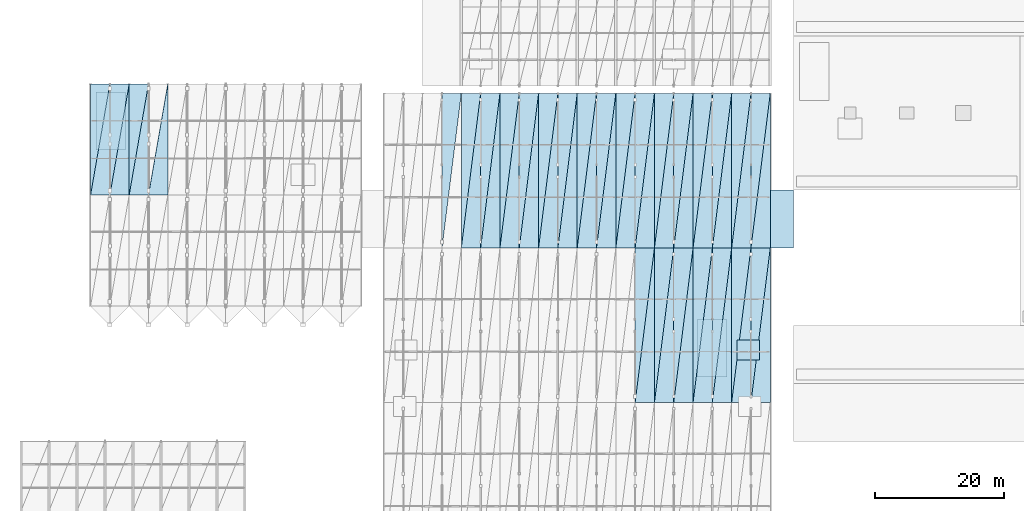
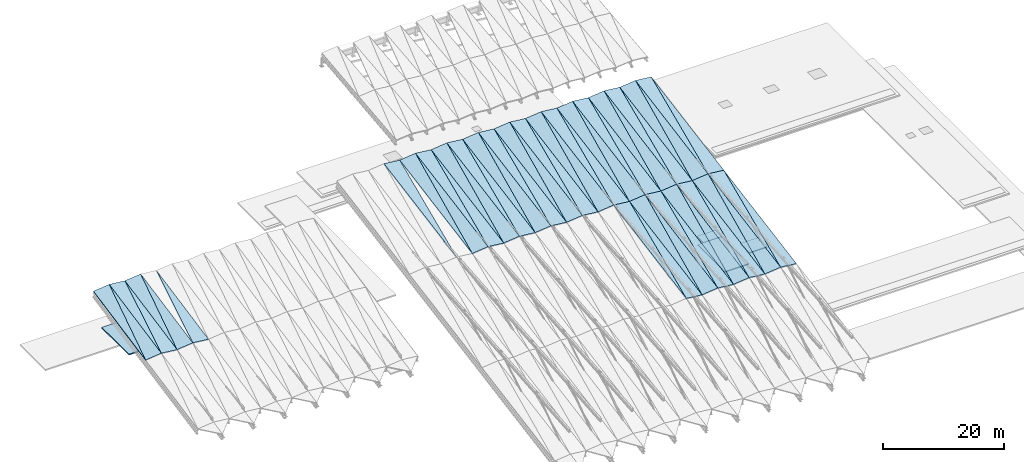
# One storey, part 21 of 52: 58 slabs.
"""IFC4 building model written with IfcOpenShell, lengths in metres."""

from ifc_helpers import new_model, si_unit, direction, frame, origin, place, context, subcontext, project, spatial, polyline, outline, extrude, material, layer, layer_set, type_object, element, save


model = new_model("IFC4")

# Units and contexts
model_context = context("Model", 3, precision=1e-05, world=origin(), true_north=direction((0.0, 1.0)))
body_context = subcontext(model_context, "Body", "Model", "MODEL_VIEW")
ifc_project = project(units=[si_unit("LENGTHUNIT", "METRE"), si_unit("AREAUNIT", "SQUARE_METRE"), si_unit("VOLUMEUNIT", "CUBIC_METRE"), si_unit("PLANEANGLEUNIT", "RADIAN"), si_unit("MASSUNIT", "GRAM", prefix="KILO")], contexts=[model_context])

# Site, building, storey
site_placement = place(None, origin())
site = spatial("IfcSite", under=ifc_project, at=site_placement, CompositionType="ELEMENT")
building_placement = place(site_placement, origin())
building = spatial("IfcBuilding", under=site, at=building_placement, Name="Vaelkrest Opera House", CompositionType="ELEMENT")
storey_placement = place(building_placement, frame((0.0, 0.0, 41.39990234375)))
storey = spatial("IfcBuildingStorey", under=building, at=storey_placement, Name="ROOF", CompositionType="ELEMENT", Elevation=41.39990234375)

# Slabs
ifc_material = material(Name="Concrete C40/50", Category="concrete")
ifc_layer_1 = layer(ifc_material, 0.235107421875)
ifc_layer_set_1 = layer_set([ifc_layer_1], Name="Concrete C40/50")
slab_type_1 = type_object("IfcSlabType", Name="RS01", PredefinedType="ROOF", material=ifc_layer_set_1)
slab_1_placement = place(storey_placement, frame((-21.0, -7.800048828125, -7.2919921875), z_axis=(0.105709410569, -0.175053827978, 0.978867548664), x_axis=(0.122398504974, 0.979188039796, 0.161893139758)))
element("IfcSlab", 1, at=slab_1_placement, inside=storey, type_object=slab_type_1, Name="Pleated roof facet V1 2-3EU", PredefinedType="ROOF", context=body_context, shape_type="SweptSolid", body=[
    extrude(outline(polyline([(0.0, 0.0), (24.51010329436229, -3.3306690738754696e-16), (24.195357046152544, 3.0009822303301914), (0.0, 0.0)])), origin(), (0.0, 0.0, -1.0), 0.235107421875),
])
slab_2_placement = place(storey_placement, frame((-18.0, -7.800048828125, -7.615966796875), z_axis=(-0.105709410569, -0.175053827978, 0.978867548664), x_axis=(0.994219425712, 0.0, 0.107367283359)))
element("IfcSlab", 2, at=slab_2_placement, inside=storey, type_object=slab_type_1, Name="Pleated roof facet V1 3-3WL", PredefinedType="ROOF", context=body_context, shape_type="SweptSolid", body=[
    extrude(outline(polyline([(0.0, 0.0), (3.0174425508234095, 0.0), (3.4782620921950986, 24.376399288817268), (0.0, 0.0)])), origin(), (0.0, 0.0, -1.0), 0.235107421875),
])
slab_3_placement = place(storey_placement, frame((-18.0, -7.800048828125, -7.615966796875), z_axis=(-0.105709410569, -0.175053827978, 0.978867548664), x_axis=(0.121835797394, 0.974686379149, 0.187463331813)))
element("IfcSlab", 3, at=slab_3_placement, inside=storey, type_object=slab_type_1, Name="Pleated roof facet V1 3-3WU", PredefinedType="ROOF", context=body_context, shape_type="SweptSolid", body=[
    extrude(outline(polyline([(0.0, 0.0), (24.623305007042667, 4.440892098500626e-16), (24.197064255165383, 2.9871856937523606), (0.0, 0.0)])), origin(), (0.0, 0.0, -1.0), 0.235107421875),
])
slab_4_placement = place(storey_placement, frame((-15.0, -7.800048828125, -7.2919921875), z_axis=(0.105709410569, -0.175053827978, 0.978867548664), x_axis=(0.994219425712, 0.0, -0.107367283359)))
element("IfcSlab", 4, at=slab_4_placement, inside=storey, type_object=slab_type_1, Name="Pleated roof facet V1 3-3EL", PredefinedType="ROOF", context=body_context, shape_type="SweptSolid", body=[
    extrude(outline(polyline([(0.0, 0.0), (3.0174425508234095, 0.0), (2.55662300945172, 24.376399288817264), (0.0, 0.0)])), origin(), (0.0, 0.0, -1.0), 0.235107421875),
])
slab_5_placement = place(storey_placement, frame((-15.0, -7.800048828125, -7.2919921875), z_axis=(0.105709410569, -0.175053827978, 0.978867548664), x_axis=(0.122398504974, 0.979188039796, 0.161893139758)))
element("IfcSlab", 5, at=slab_5_placement, inside=storey, type_object=slab_type_1, Name="Pleated roof facet V1 3-3EU", PredefinedType="ROOF", context=body_context, shape_type="SweptSolid", body=[
    extrude(outline(polyline([(0.0, 0.0), (24.51010329436229, -3.3306690738754696e-16), (24.195357046152544, 3.0009822303301914), (0.0, 0.0)])), origin(), (0.0, 0.0, -1.0), 0.235107421875),
])
slab_6_placement = place(storey_placement, frame((-12.0, -7.800048828125, -7.615966796875), z_axis=(-0.105709410569, -0.175053827978, 0.978867548664), x_axis=(0.994219425712, 0.0, 0.107367283359)))
element("IfcSlab", 6, at=slab_6_placement, inside=storey, type_object=slab_type_1, Name="Pleated roof facet V1 4-3WL", PredefinedType="ROOF", context=body_context, shape_type="SweptSolid", body=[
    extrude(outline(polyline([(0.0, 0.0), (3.0174425508234095, 0.0), (3.4782620921950986, 24.376399288817268), (0.0, 0.0)])), origin(), (0.0, 0.0, -1.0), 0.235107421875),
])
slab_7_placement = place(storey_placement, frame((-12.0, -7.800048828125, -7.615966796875), z_axis=(-0.105709410569, -0.175053827978, 0.978867548664), x_axis=(0.121835797394, 0.974686379149, 0.187463331813)))
element("IfcSlab", 7, at=slab_7_placement, inside=storey, type_object=slab_type_1, Name="Pleated roof facet V1 4-3WU", PredefinedType="ROOF", context=body_context, shape_type="SweptSolid", body=[
    extrude(outline(polyline([(0.0, 0.0), (24.623305007042667, 4.440892098500626e-16), (24.197064255165383, 2.9871856937523606), (0.0, 0.0)])), origin(), (0.0, 0.0, -1.0), 0.235107421875),
])
slab_8_placement = place(storey_placement, frame((-9.0, -7.800048828125, -7.2919921875), z_axis=(0.105709410569, -0.175053827978, 0.978867548664), x_axis=(0.994219425712, 0.0, -0.107367283359)))
element("IfcSlab", 8, at=slab_8_placement, inside=storey, type_object=slab_type_1, Name="Pleated roof facet V1 4-3EL", PredefinedType="ROOF", context=body_context, shape_type="SweptSolid", body=[
    extrude(outline(polyline([(0.0, 0.0), (3.0174425508234095, 0.0), (2.55662300945172, 24.376399288817264), (0.0, 0.0)])), origin(), (0.0, 0.0, -1.0), 0.235107421875),
])
slab_9_placement = place(storey_placement, frame((-9.0, -7.800048828125, -7.2919921875), z_axis=(0.105709410569, -0.175053827978, 0.978867548664), x_axis=(0.122398504974, 0.979188039796, 0.161893139758)))
element("IfcSlab", 9, at=slab_9_placement, inside=storey, type_object=slab_type_1, Name="Pleated roof facet V1 4-3EU", PredefinedType="ROOF", context=body_context, shape_type="SweptSolid", body=[
    extrude(outline(polyline([(0.0, 0.0), (24.51010329436229, -3.3306690738754696e-16), (24.195357046152544, 3.0009822303301914), (0.0, 0.0)])), origin(), (0.0, 0.0, -1.0), 0.235107421875),
])
slab_10_placement = place(storey_placement, frame((-6.0, -7.800048828125, -7.615966796875), z_axis=(-0.105709410569, -0.175053827978, 0.978867548664), x_axis=(0.994219425712, 0.0, 0.107367283359)))
element("IfcSlab", 10, at=slab_10_placement, inside=storey, type_object=slab_type_1, Name="Pleated roof facet V1 5-3WL", PredefinedType="ROOF", context=body_context, shape_type="SweptSolid", body=[
    extrude(outline(polyline([(0.0, 0.0), (3.0174425508234095, 0.0), (3.4782620921950986, 24.376399288817268), (0.0, 0.0)])), origin(), (0.0, 0.0, -1.0), 0.235107421875),
])
slab_11_placement = place(storey_placement, frame((-6.0, -7.800048828125, -7.615966796875), z_axis=(-0.105709410569, -0.175053827978, 0.978867548664), x_axis=(0.121835797394, 0.974686379149, 0.187463331813)))
element("IfcSlab", 11, at=slab_11_placement, inside=storey, type_object=slab_type_1, Name="Pleated roof facet V1 5-3WU", PredefinedType="ROOF", context=body_context, shape_type="SweptSolid", body=[
    extrude(outline(polyline([(0.0, 0.0), (24.623305007042667, 4.440892098500626e-16), (24.197064255165383, 2.9871856937523606), (0.0, 0.0)])), origin(), (0.0, 0.0, -1.0), 0.235107421875),
])
slab_12_placement = place(storey_placement, frame((-3.0, -7.800048828125, -7.2919921875), z_axis=(0.105709410569, -0.175053827978, 0.978867548664), x_axis=(0.994219425712, 0.0, -0.107367283359)))
element("IfcSlab", 12, at=slab_12_placement, inside=storey, type_object=slab_type_1, Name="Pleated roof facet V1 5-3EL", PredefinedType="ROOF", context=body_context, shape_type="SweptSolid", body=[
    extrude(outline(polyline([(0.0, 0.0), (3.0174425508234095, 0.0), (2.55662300945172, 24.376399288817264), (0.0, 0.0)])), origin(), (0.0, 0.0, -1.0), 0.235107421875),
])
slab_13_placement = place(storey_placement, frame((-3.0, -7.800048828125, -7.2919921875), z_axis=(0.105709410569, -0.175053827978, 0.978867548664), x_axis=(0.122398504974, 0.979188039796, 0.161893139758)))
element("IfcSlab", 13, at=slab_13_placement, inside=storey, type_object=slab_type_1, Name="Pleated roof facet V1 5-3EU", PredefinedType="ROOF", context=body_context, shape_type="SweptSolid", body=[
    extrude(outline(polyline([(0.0, 0.0), (24.51010329436229, -3.3306690738754696e-16), (24.195357046152544, 3.0009822303301914), (0.0, 0.0)])), origin(), (0.0, 0.0, -1.0), 0.235107421875),
])
slab_14_placement = place(storey_placement, frame((0.0, -7.800048828125, -7.615966796875), z_axis=(-0.105709410569, -0.175053827978, 0.978867548664), x_axis=(0.994219425712, 0.0, 0.107367283359)))
element("IfcSlab", 14, at=slab_14_placement, inside=storey, type_object=slab_type_1, Name="Pleated roof facet V1 6-3WL", PredefinedType="ROOF", context=body_context, shape_type="SweptSolid", body=[
    extrude(outline(polyline([(0.0, 0.0), (3.0174425508234095, 0.0), (3.4782620921950986, 24.376399288817268), (0.0, 0.0)])), origin(), (0.0, 0.0, -1.0), 0.235107421875),
])
slab_15_placement = place(storey_placement, frame((0.0, -7.800048828125, -7.615966796875), z_axis=(-0.105709410569, -0.175053827978, 0.978867548664), x_axis=(0.121835797394, 0.974686379149, 0.187463331813)))
element("IfcSlab", 15, at=slab_15_placement, inside=storey, type_object=slab_type_1, Name="Pleated roof facet V1 6-3WU", PredefinedType="ROOF", context=body_context, shape_type="SweptSolid", body=[
    extrude(outline(polyline([(0.0, 0.0), (24.623305007042667, 4.440892098500626e-16), (24.197064255165383, 2.9871856937523606), (0.0, 0.0)])), origin(), (0.0, 0.0, -1.0), 0.235107421875),
])
slab_16_placement = place(storey_placement, frame((3.0, -7.800048828125, -7.2919921875), z_axis=(0.105709410569, -0.175053827978, 0.978867548664), x_axis=(0.994219425712, 0.0, -0.107367283359)))
element("IfcSlab", 16, at=slab_16_placement, inside=storey, type_object=slab_type_1, Name="Pleated roof facet V1 6-3EL", PredefinedType="ROOF", context=body_context, shape_type="SweptSolid", body=[
    extrude(outline(polyline([(0.0, 0.0), (3.0174425508234095, 0.0), (2.55662300945172, 24.376399288817264), (0.0, 0.0)])), origin(), (0.0, 0.0, -1.0), 0.235107421875),
])
slab_17_placement = place(storey_placement, frame((3.0, -7.800048828125, -7.2919921875), z_axis=(0.105709410569, -0.175053827978, 0.978867548664), x_axis=(0.122398504974, 0.979188039796, 0.161893139758)))
element("IfcSlab", 17, at=slab_17_placement, inside=storey, type_object=slab_type_1, Name="Pleated roof facet V1 6-3EU", PredefinedType="ROOF", context=body_context, shape_type="SweptSolid", body=[
    extrude(outline(polyline([(0.0, 0.0), (24.51010329436229, -3.3306690738754696e-16), (24.195357046152544, 3.0009822303301914), (0.0, 0.0)])), origin(), (0.0, 0.0, -1.0), 0.235107421875),
])
slab_18_placement = place(storey_placement, frame((9.0, -31.800048828125, -11.583984375), z_axis=(0.105709410569, -0.175053827978, 0.978867548664), x_axis=(0.994219425712, 0.0, -0.107367283359)))
element("IfcSlab", 18, at=slab_18_placement, inside=storey, type_object=slab_type_1, Name="Pleated roof facet V1 7-2EL", PredefinedType="ROOF", context=body_context, shape_type="SweptSolid", body=[
    extrude(outline(polyline([(0.0, 0.0), (3.0174425508234095, 0.0), (2.55662300945172, 24.376399288817264), (0.0, 0.0)])), origin(), (0.0, 0.0, -1.0), 0.235107421875),
])
slab_19_placement = place(storey_placement, frame((9.0, -31.800048828125, -11.583984375), z_axis=(0.105709410569, -0.175053827978, 0.978867548664), x_axis=(0.122398504974, 0.979188039796, 0.161893139758)))
element("IfcSlab", 19, at=slab_19_placement, inside=storey, type_object=slab_type_1, Name="Pleated roof facet V1 7-2EU", PredefinedType="ROOF", context=body_context, shape_type="SweptSolid", body=[
    extrude(outline(polyline([(0.0, 0.0), (24.51010329436229, -3.3306690738754696e-16), (24.195357046152544, 3.0009822303301914), (0.0, 0.0)])), origin(), (0.0, 0.0, -1.0), 0.235107421875),
])
slab_20_placement = place(storey_placement, frame((6.0, -7.800048828125, -7.615966796875), z_axis=(-0.105709410569, -0.175053827978, 0.978867548664), x_axis=(0.994219425712, 0.0, 0.107367283359)))
element("IfcSlab", 20, at=slab_20_placement, inside=storey, type_object=slab_type_1, Name="Pleated roof facet V1 7-3WL", PredefinedType="ROOF", context=body_context, shape_type="SweptSolid", body=[
    extrude(outline(polyline([(0.0, 0.0), (3.0174425508234095, 0.0), (3.4782620921950986, 24.376399288817268), (0.0, 0.0)])), origin(), (0.0, 0.0, -1.0), 0.235107421875),
])
slab_21_placement = place(storey_placement, frame((6.0, -7.800048828125, -7.615966796875), z_axis=(-0.105709410569, -0.175053827978, 0.978867548664), x_axis=(0.121835797394, 0.974686379149, 0.187463331813)))
element("IfcSlab", 21, at=slab_21_placement, inside=storey, type_object=slab_type_1, Name="Pleated roof facet V1 7-3WU", PredefinedType="ROOF", context=body_context, shape_type="SweptSolid", body=[
    extrude(outline(polyline([(0.0, 0.0), (24.623305007042667, 4.440892098500626e-16), (24.197064255165383, 2.9871856937523606), (0.0, 0.0)])), origin(), (0.0, 0.0, -1.0), 0.235107421875),
])
slab_22_placement = place(storey_placement, frame((9.0, -7.800048828125, -7.2919921875), z_axis=(0.105709410569, -0.175053827978, 0.978867548664), x_axis=(0.994219425712, 0.0, -0.107367283359)))
element("IfcSlab", 22, at=slab_22_placement, inside=storey, type_object=slab_type_1, Name="Pleated roof facet V1 7-3EL", PredefinedType="ROOF", context=body_context, shape_type="SweptSolid", body=[
    extrude(outline(polyline([(0.0, 0.0), (3.0174425508234095, 0.0), (2.55662300945172, 24.376399288817264), (0.0, 0.0)])), origin(), (0.0, 0.0, -1.0), 0.235107421875),
])
slab_23_placement = place(storey_placement, frame((9.0, -7.800048828125, -7.2919921875), z_axis=(0.105709410569, -0.175053827978, 0.978867548664), x_axis=(0.122398504974, 0.979188039796, 0.161893139758)))
element("IfcSlab", 23, at=slab_23_placement, inside=storey, type_object=slab_type_1, Name="Pleated roof facet V1 7-3EU", PredefinedType="ROOF", context=body_context, shape_type="SweptSolid", body=[
    extrude(outline(polyline([(0.0, 0.0), (24.51010329436229, -3.3306690738754696e-16), (24.195357046152544, 3.0009822303301914), (0.0, 0.0)])), origin(), (0.0, 0.0, -1.0), 0.235107421875),
])
slab_24_placement = place(storey_placement, frame((12.0, -31.800048828125, -11.907958984375), z_axis=(-0.105709410569, -0.175053827978, 0.978867548664), x_axis=(0.994219425712, 0.0, 0.107367283359)))
element("IfcSlab", 24, at=slab_24_placement, inside=storey, type_object=slab_type_1, Name="Pleated roof facet V1 8-2WL", PredefinedType="ROOF", context=body_context, shape_type="SweptSolid", body=[
    extrude(outline(polyline([(0.0, 0.0), (3.0174425508234095, 0.0), (3.4782620921950986, 24.376399288817268), (0.0, 0.0)])), origin(), (0.0, 0.0, -1.0), 0.235107421875),
])
slab_25_placement = place(storey_placement, frame((12.0, -31.800048828125, -11.907958984375), z_axis=(-0.105709410569, -0.175053827978, 0.978867548664), x_axis=(0.121835797394, 0.974686379149, 0.187463331813)))
element("IfcSlab", 25, at=slab_25_placement, inside=storey, type_object=slab_type_1, Name="Pleated roof facet V1 8-2WU", PredefinedType="ROOF", context=body_context, shape_type="SweptSolid", body=[
    extrude(outline(polyline([(0.0, 0.0), (24.623305007042667, 4.440892098500626e-16), (24.197064255165383, 2.9871856937523606), (0.0, 0.0)])), origin(), (0.0, 0.0, -1.0), 0.235107421875),
])
slab_26_placement = place(storey_placement, frame((15.0, -31.800048828125, -11.583984375), z_axis=(0.105709410569, -0.175053827978, 0.978867548664), x_axis=(0.994219425712, 0.0, -0.107367283359)))
element("IfcSlab", 26, at=slab_26_placement, inside=storey, type_object=slab_type_1, Name="Pleated roof facet V1 8-2EL", PredefinedType="ROOF", context=body_context, shape_type="SweptSolid", body=[
    extrude(outline(polyline([(0.0, 0.0), (3.0174425508234095, 0.0), (2.55662300945172, 24.376399288817264), (0.0, 0.0)])), origin(), (0.0, 0.0, -1.0), 0.235107421875),
])
slab_27_placement = place(storey_placement, frame((15.0, -31.800048828125, -11.583984375), z_axis=(0.105709410569, -0.175053827978, 0.978867548664), x_axis=(0.122398504974, 0.979188039796, 0.161893139758)))
element("IfcSlab", 27, at=slab_27_placement, inside=storey, type_object=slab_type_1, Name="Pleated roof facet V1 8-2EU", PredefinedType="ROOF", context=body_context, shape_type="SweptSolid", body=[
    extrude(outline(polyline([(0.0, 0.0), (24.51010329436229, -3.3306690738754696e-16), (24.195357046152544, 3.0009822303301914), (0.0, 0.0)])), origin(), (0.0, 0.0, -1.0), 0.235107421875),
])
slab_28_placement = place(storey_placement, frame((12.0, -7.800048828125, -7.615966796875), z_axis=(-0.105709410569, -0.175053827978, 0.978867548664), x_axis=(0.994219425712, 0.0, 0.107367283359)))
element("IfcSlab", 28, at=slab_28_placement, inside=storey, type_object=slab_type_1, Name="Pleated roof facet V1 8-3WL", PredefinedType="ROOF", context=body_context, shape_type="SweptSolid", body=[
    extrude(outline(polyline([(0.0, 0.0), (3.0174425508234095, 0.0), (3.4782620921950986, 24.376399288817268), (0.0, 0.0)])), origin(), (0.0, 0.0, -1.0), 0.235107421875),
])
slab_29_placement = place(storey_placement, frame((12.0, -7.800048828125, -7.615966796875), z_axis=(-0.105709410569, -0.175053827978, 0.978867548664), x_axis=(0.121835797394, 0.974686379149, 0.187463331813)))
element("IfcSlab", 29, at=slab_29_placement, inside=storey, type_object=slab_type_1, Name="Pleated roof facet V1 8-3WU", PredefinedType="ROOF", context=body_context, shape_type="SweptSolid", body=[
    extrude(outline(polyline([(0.0, 0.0), (24.623305007042667, 4.440892098500626e-16), (24.197064255165383, 2.9871856937523606), (0.0, 0.0)])), origin(), (0.0, 0.0, -1.0), 0.235107421875),
])
slab_30_placement = place(storey_placement, frame((15.0, -7.800048828125, -7.2919921875), z_axis=(0.105709410569, -0.175053827978, 0.978867548664), x_axis=(0.994219425712, 0.0, -0.107367283359)))
element("IfcSlab", 30, at=slab_30_placement, inside=storey, type_object=slab_type_1, Name="Pleated roof facet V1 8-3EL", PredefinedType="ROOF", context=body_context, shape_type="SweptSolid", body=[
    extrude(outline(polyline([(0.0, 0.0), (3.0174425508234095, 0.0), (2.55662300945172, 24.376399288817264), (0.0, 0.0)])), origin(), (0.0, 0.0, -1.0), 0.235107421875),
])
slab_31_placement = place(storey_placement, frame((15.0, -7.800048828125, -7.2919921875), z_axis=(0.105709410569, -0.175053827978, 0.978867548664), x_axis=(0.122398504974, 0.979188039796, 0.161893139758)))
element("IfcSlab", 31, at=slab_31_placement, inside=storey, type_object=slab_type_1, Name="Pleated roof facet V1 8-3EU", PredefinedType="ROOF", context=body_context, shape_type="SweptSolid", body=[
    extrude(outline(polyline([(0.0, 0.0), (24.51010329436229, -3.3306690738754696e-16), (24.195357046152544, 3.0009822303301914), (0.0, 0.0)])), origin(), (0.0, 0.0, -1.0), 0.235107421875),
])
slab_32_placement = place(storey_placement, frame((18.0, -31.800048828125, -11.907958984375), z_axis=(-0.105709410569, -0.175053827978, 0.978867548664), x_axis=(0.994219425712, 0.0, 0.107367283359)))
element("IfcSlab", 32, at=slab_32_placement, inside=storey, type_object=slab_type_1, Name="Pleated roof facet V1 9-2WL", PredefinedType="ROOF", context=body_context, shape_type="SweptSolid", body=[
    extrude(outline(polyline([(0.0, 0.0), (3.0174425508234095, 0.0), (3.4782620921950986, 24.376399288817268), (0.0, 0.0)])), origin(), (0.0, 0.0, -1.0), 0.235107421875),
])
slab_33_placement = place(storey_placement, frame((18.0, -31.800048828125, -11.907958984375), z_axis=(-0.105709410569, -0.175053827978, 0.978867548664), x_axis=(0.121835797394, 0.974686379149, 0.187463331813)))
element("IfcSlab", 33, at=slab_33_placement, inside=storey, type_object=slab_type_1, Name="Pleated roof facet V1 9-2WU", PredefinedType="ROOF", context=body_context, shape_type="SweptSolid", body=[
    extrude(outline(polyline([(0.0, 0.0), (24.623305007042667, 4.440892098500626e-16), (24.197064255165383, 2.9871856937523606), (0.0, 0.0)])), origin(), (0.0, 0.0, -1.0), 0.235107421875),
])
slab_34_placement = place(storey_placement, frame((21.0, -31.800048828125, -11.583984375), z_axis=(0.105709410569, -0.175053827978, 0.978867548664), x_axis=(0.994219425712, 0.0, -0.107367283359)))
element("IfcSlab", 34, at=slab_34_placement, inside=storey, type_object=slab_type_1, Name="Pleated roof facet V1 9-2EL", PredefinedType="ROOF", context=body_context, shape_type="SweptSolid", body=[
    extrude(outline(polyline([(0.0, 0.0), (3.0174425508234095, 0.0), (2.55662300945172, 24.376399288817264), (0.0, 0.0)])), origin(), (0.0, 0.0, -1.0), 0.235107421875),
])
slab_35_placement = place(storey_placement, frame((21.0, -31.800048828125, -11.583984375), z_axis=(0.105709410569, -0.175053827978, 0.978867548664), x_axis=(0.122398504974, 0.979188039796, 0.161893139758)))
element("IfcSlab", 35, at=slab_35_placement, inside=storey, type_object=slab_type_1, Name="Pleated roof facet V1 9-2EU", PredefinedType="ROOF", context=body_context, shape_type="SweptSolid", body=[
    extrude(outline(polyline([(0.0, 0.0), (24.51010329436229, -3.3306690738754696e-16), (24.195357046152544, 3.0009822303301914), (0.0, 0.0)])), origin(), (0.0, 0.0, -1.0), 0.235107421875),
])
slab_36_placement = place(storey_placement, frame((18.0, -7.800048828125, -7.615966796875), z_axis=(-0.105709410569, -0.175053827978, 0.978867548664), x_axis=(0.994219425712, 0.0, 0.107367283359)))
element("IfcSlab", 36, at=slab_36_placement, inside=storey, type_object=slab_type_1, Name="Pleated roof facet V1 9-3WL", PredefinedType="ROOF", context=body_context, shape_type="SweptSolid", body=[
    extrude(outline(polyline([(0.0, 0.0), (3.0174425508234095, 0.0), (3.4782620921950986, 24.376399288817268), (0.0, 0.0)])), origin(), (0.0, 0.0, -1.0), 0.235107421875),
])
slab_37_placement = place(storey_placement, frame((18.0, -7.800048828125, -7.615966796875), z_axis=(-0.105709410569, -0.175053827978, 0.978867548664), x_axis=(0.121835797394, 0.974686379149, 0.187463331813)))
element("IfcSlab", 37, at=slab_37_placement, inside=storey, type_object=slab_type_1, Name="Pleated roof facet V1 9-3WU", PredefinedType="ROOF", context=body_context, shape_type="SweptSolid", body=[
    extrude(outline(polyline([(0.0, 0.0), (24.623305007042667, 4.440892098500626e-16), (24.197064255165383, 2.9871856937523606), (0.0, 0.0)])), origin(), (0.0, 0.0, -1.0), 0.235107421875),
])
slab_38_placement = place(storey_placement, frame((21.0, -7.800048828125, -7.2919921875), z_axis=(0.105709410569, -0.175053827978, 0.978867548664), x_axis=(0.994219425712, 0.0, -0.107367283359)))
element("IfcSlab", 38, at=slab_38_placement, inside=storey, type_object=slab_type_1, Name="Pleated roof facet V1 9-3EL", PredefinedType="ROOF", context=body_context, shape_type="SweptSolid", body=[
    extrude(outline(polyline([(0.0, 0.0), (3.0174425508234095, 0.0), (2.55662300945172, 24.376399288817264), (0.0, 0.0)])), origin(), (0.0, 0.0, -1.0), 0.235107421875),
])
slab_39_placement = place(storey_placement, frame((21.0, -7.800048828125, -7.2919921875), z_axis=(0.105709410569, -0.175053827978, 0.978867548664), x_axis=(0.122398504974, 0.979188039796, 0.161893139758)))
element("IfcSlab", 39, at=slab_39_placement, inside=storey, type_object=slab_type_1, Name="Pleated roof facet V1 9-3EU", PredefinedType="ROOF", context=body_context, shape_type="SweptSolid", body=[
    extrude(outline(polyline([(0.0, 0.0), (24.51010329436229, -3.3306690738754696e-16), (24.195357046152544, 3.0009822303301914), (0.0, 0.0)])), origin(), (0.0, 0.0, -1.0), 0.235107421875),
])
slab_40_placement = place(storey_placement, frame((24.0, -31.800048828125, -11.907958984375), z_axis=(-0.105709410569, -0.175053827978, 0.978867548664), x_axis=(0.994219425712, 0.0, 0.107367283359)))
element("IfcSlab", 40, at=slab_40_placement, inside=storey, type_object=slab_type_1, Name="Pleated roof facet V1 10-2WL", PredefinedType="ROOF", context=body_context, shape_type="SweptSolid", body=[
    extrude(outline(polyline([(0.0, 0.0), (3.0174425508234095, 0.0), (3.4782620921950986, 24.376399288817268), (0.0, 0.0)])), origin(), (0.0, 0.0, -1.0), 0.235107421875),
])
slab_41_placement = place(storey_placement, frame((24.0, -31.800048828125, -11.907958984375), z_axis=(-0.105709410569, -0.175053827978, 0.978867548664), x_axis=(0.121835797394, 0.974686379149, 0.187463331813)))
element("IfcSlab", 41, at=slab_41_placement, inside=storey, type_object=slab_type_1, Name="Pleated roof facet V1 10-2WU", PredefinedType="ROOF", context=body_context, shape_type="SweptSolid", body=[
    extrude(outline(polyline([(0.0, 0.0), (24.623305007042667, 4.440892098500626e-16), (24.197064255165383, 2.9871856937523606), (0.0, 0.0)])), origin(), (0.0, 0.0, -1.0), 0.235107421875),
])
slab_42_placement = place(storey_placement, frame((27.0, -31.800048828125, -11.583984375), z_axis=(0.105709410569, -0.175053827978, 0.978867548664), x_axis=(0.994219425712, 0.0, -0.107367283359)))
element("IfcSlab", 42, at=slab_42_placement, inside=storey, type_object=slab_type_1, Name="Pleated roof facet V1 10-2EL", PredefinedType="ROOF", context=body_context, shape_type="SweptSolid", body=[
    extrude(outline(polyline([(0.0, 0.0), (3.0174425508234095, 0.0), (2.55662300945172, 24.376399288817264), (0.0, 0.0)])), origin(), (0.0, 0.0, -1.0), 0.235107421875),
])
slab_43_placement = place(storey_placement, frame((27.0, -31.800048828125, -11.583984375), z_axis=(0.105709410569, -0.175053827978, 0.978867548664), x_axis=(0.122398504974, 0.979188039796, 0.161893139758)))
element("IfcSlab", 43, at=slab_43_placement, inside=storey, type_object=slab_type_1, Name="Pleated roof facet V1 10-2EU", PredefinedType="ROOF", context=body_context, shape_type="SweptSolid", body=[
    extrude(outline(polyline([(0.0, 0.0), (24.51010329436229, -3.3306690738754696e-16), (24.195357046152544, 3.0009822303301914), (0.0, 0.0)])), origin(), (0.0, 0.0, -1.0), 0.235107421875),
])
slab_44_placement = place(storey_placement, frame((24.0, -7.800048828125, -7.615966796875), z_axis=(-0.105709410569, -0.175053827978, 0.978867548664), x_axis=(0.994219425712, 0.0, 0.107367283359)))
element("IfcSlab", 44, at=slab_44_placement, inside=storey, type_object=slab_type_1, Name="Pleated roof facet V1 10-3WL", PredefinedType="ROOF", context=body_context, shape_type="SweptSolid", body=[
    extrude(outline(polyline([(0.0, 0.0), (3.0174425508234095, 0.0), (3.4782620921950986, 24.376399288817268), (0.0, 0.0)])), origin(), (0.0, 0.0, -1.0), 0.235107421875),
])
slab_45_placement = place(storey_placement, frame((24.0, -7.800048828125, -7.615966796875), z_axis=(-0.105709410569, -0.175053827978, 0.978867548664), x_axis=(0.121835797394, 0.974686379149, 0.187463331813)))
element("IfcSlab", 45, at=slab_45_placement, inside=storey, type_object=slab_type_1, Name="Pleated roof facet V1 10-3WU", PredefinedType="ROOF", context=body_context, shape_type="SweptSolid", body=[
    extrude(outline(polyline([(0.0, 0.0), (24.623305007042667, 4.440892098500626e-16), (24.197064255165383, 2.9871856937523606), (0.0, 0.0)])), origin(), (0.0, 0.0, -1.0), 0.235107421875),
])
slab_46_placement = place(storey_placement, frame((27.0, -7.800048828125, -7.2919921875), z_axis=(0.105709410569, -0.175053827978, 0.978867548664), x_axis=(0.994219425712, 0.0, -0.107367283359)))
element("IfcSlab", 46, at=slab_46_placement, inside=storey, type_object=slab_type_1, Name="Pleated roof facet V1 10-3EL", PredefinedType="ROOF", context=body_context, shape_type="SweptSolid", body=[
    extrude(outline(polyline([(0.0, 0.0), (3.0174425508234095, 0.0), (2.55662300945172, 24.376399288817264), (0.0, 0.0)])), origin(), (0.0, 0.0, -1.0), 0.235107421875),
])
slab_47_placement = place(storey_placement, frame((27.0, -7.800048828125, -7.2919921875), z_axis=(0.105709410569, -0.175053827978, 0.978867548664), x_axis=(0.122398504974, 0.979188039796, 0.161893139758)))
element("IfcSlab", 47, at=slab_47_placement, inside=storey, type_object=slab_type_1, Name="Pleated roof facet V1 10-3EU", PredefinedType="ROOF", context=body_context, shape_type="SweptSolid", body=[
    extrude(outline(polyline([(0.0, 0.0), (24.51010329436229, -3.3306690738754696e-16), (24.195357046152544, 3.0009822303301914), (0.0, 0.0)])), origin(), (0.0, 0.0, -1.0), 0.235107421875),
])
ifc_layer_2 = layer(ifc_material, 0.215087890625)
ifc_layer_set_2 = layer_set([ifc_layer_2], Name="Concrete C40/50")
slab_type_2 = type_object("IfcSlabType", Name="RS02", PredefinedType="ROOF", material=ifc_layer_set_2)
slab_48_placement = place(storey_placement, frame((-75.60009765625, 0.449951171875, -13.9619140625), z_axis=(-0.105319554338, -0.194372394638, 0.975257485835), x_axis=(0.994219425712, 0.0, 0.107367283359)))
element("IfcSlab", 48, at=slab_48_placement, inside=storey, type_object=slab_type_2, Name="Pleated roof facet V3 1-2WL", PredefinedType="ROOF", context=body_context, shape_type="SweptSolid", body=[
    extrude(outline(polyline([(0.0, 0.0), (3.0174425508234095, 1.3877787807814457e-17), (3.3865700128027116, 17.585391901769633), (0.0, 0.0)])), origin(), (0.0, 0.0, -1.0), 0.215087890625),
])
slab_49_placement = place(storey_placement, frame((-75.60009765625, 0.449951171875, -13.9619140625), z_axis=(-0.105319554338, -0.194372394638, 0.975257485835), x_axis=(0.167518088972, 0.963229011591, 0.210065611408)))
element("IfcSlab", 49, at=slab_49_placement, inside=storey, type_object=slab_type_2, Name="Pleated roof facet V3 1-2WU", PredefinedType="ROOF", context=body_context, shape_type="SweptSolid", body=[
    extrude(outline(polyline([(0.0, 0.0), (17.90851375157748, 1.1102230246251565e-16), (17.337903560261445, 2.962999081519595), (0.0, 0.0)])), origin(), (0.0, 0.0, -1.0), 0.215087890625),
])
slab_50_placement = place(storey_placement, frame((-72.60009765625, 0.449951171875, -13.637939453125), z_axis=(0.105319554338, -0.194372394638, 0.975257485835), x_axis=(0.994219425712, 0.0, -0.107367283359)))
element("IfcSlab", 50, at=slab_50_placement, inside=storey, type_object=slab_type_2, Name="Pleated roof facet V3 1-2EL", PredefinedType="ROOF", context=body_context, shape_type="SweptSolid", body=[
    extrude(outline(polyline([(0.0, 0.0), (3.0174425508234095, -1.3877787807814457e-17), (2.6483150888441074, 17.585391901769633), (0.0, 0.0)])), origin(), (0.0, 0.0, -1.0), 0.215087890625),
])
slab_51_placement = place(storey_placement, frame((-72.60009765625, 0.449951171875, -13.637939453125), z_axis=(0.105319554338, -0.194372394638, 0.975257485835), x_axis=(0.168693911768, 0.969989992668, 0.175105049203)))
element("IfcSlab", 51, at=slab_51_placement, inside=storey, type_object=slab_type_2, Name="Pleated roof facet V3 1-2EU", PredefinedType="ROOF", context=body_context, shape_type="SweptSolid", body=[
    extrude(outline(polyline([(0.0, 0.0), (17.78368862605912, -1.1102230246251565e-16), (17.334336480669204, 2.9837966078392753), (0.0, 0.0)])), origin(), (0.0, 0.0, -1.0), 0.215087890625),
])
slab_52_placement = place(storey_placement, frame((-69.60009765625, 0.449951171875, -13.9619140625), z_axis=(-0.105319554338, -0.194372394638, 0.975257485835), x_axis=(0.994219425712, 0.0, 0.107367283359)))
element("IfcSlab", 52, at=slab_52_placement, inside=storey, type_object=slab_type_2, Name="Pleated roof facet V3 2-2WL", PredefinedType="ROOF", context=body_context, shape_type="SweptSolid", body=[
    extrude(outline(polyline([(0.0, 0.0), (3.0174425508234095, 1.3877787807814457e-17), (3.3865700128027116, 17.585391901769633), (0.0, 0.0)])), origin(), (0.0, 0.0, -1.0), 0.215087890625),
])
slab_53_placement = place(storey_placement, frame((-69.60009765625, 0.449951171875, -13.9619140625), z_axis=(-0.105319554338, -0.194372394638, 0.975257485835), x_axis=(0.167518088972, 0.963229011591, 0.210065611408)))
element("IfcSlab", 53, at=slab_53_placement, inside=storey, type_object=slab_type_2, Name="Pleated roof facet V3 2-2WU", PredefinedType="ROOF", context=body_context, shape_type="SweptSolid", body=[
    extrude(outline(polyline([(0.0, 0.0), (17.90851375157748, 1.1102230246251565e-16), (17.337903560261445, 2.962999081519595), (0.0, 0.0)])), origin(), (0.0, 0.0, -1.0), 0.215087890625),
])
slab_54_placement = place(storey_placement, frame((-66.60009765625, 0.449951171875, -13.637939453125), z_axis=(0.105319554338, -0.194372394638, 0.975257485835), x_axis=(0.994219425712, 0.0, -0.107367283359)))
element("IfcSlab", 54, at=slab_54_placement, inside=storey, type_object=slab_type_2, Name="Pleated roof facet V3 2-2EL", PredefinedType="ROOF", context=body_context, shape_type="SweptSolid", body=[
    extrude(outline(polyline([(0.0, 0.0), (3.0174425508234095, -1.3877787807814457e-17), (2.6483150888441074, 17.585391901769633), (0.0, 0.0)])), origin(), (0.0, 0.0, -1.0), 0.215087890625),
])
ifc_layer_3 = layer(ifc_material, 0.27490234375)
ifc_layer_set_3 = layer_set([ifc_layer_3], Name="Concrete C40/50")
slab_type_3 = type_object("IfcSlabType", Name="RS05", PredefinedType="ROOF", material=ifc_layer_set_3)
slab_55_placement = place(storey_placement, frame((0.0, 0.0, -26.6748046875)))
element("IfcSlab", 55, at=slab_55_placement, inside=storey, type_object=slab_type_3, Name="Seismic link bridge roof BR-E-L02", PredefinedType="ROOF", context=body_context, shape_type="SweptSolid", body=[
    extrude(outline(polyline([(30.050048828125, -7.800048828125), (33.60009765625, -7.800048828125), (33.60009765625, 1.199951171875), (30.050048828125, 1.199951171875), (30.050048828125, -7.800048828125)])), origin(), (0.0, 0.0, 1.0), 0.27490234375),
])
ifc_layer_4 = layer(ifc_material, 0.205078125)
ifc_layer_set_4 = layer_set([ifc_layer_4], Name="Concrete C40/50")
slab_type_4 = type_object("IfcSlabType", Name="RS06", PredefinedType="ROOF", material=ifc_layer_set_4)
slab_56_placement = place(storey_placement, frame((0.0, 0.0, -12.15478515625)))
element("IfcSlab", 56, at=slab_56_placement, inside=storey, type_object=slab_type_4, Name="Stair shaft cap slab ST02", PredefinedType="ROOF", context=body_context, shape_type="SweptSolid", body=[
    extrude(outline(polyline([(18.64990234375, -27.85009765625), (23.25, -27.85009765625), (23.25, -18.85009765625), (18.64990234375, -18.85009765625), (18.64990234375, -27.85009765625)])), origin(), (0.0, 0.0, 1.0), 0.204833984375),
])
slab_57_placement = place(storey_placement, frame((0.0, 0.0, -17.554931640625)))
element("IfcSlab", 57, at=slab_57_placement, inside=storey, type_object=slab_type_4, Name="Stair shaft cap slab ST07", PredefinedType="ROOF", context=body_context, shape_type="SweptSolid", body=[
    extrude(outline(polyline([(-74.75, 7.449951171875), (-70.14990234375, 7.449951171875), (-70.14990234375, 16.449951171875), (-74.75, 16.449951171875), (-74.75, 7.449951171875)])), origin(), (0.0, 0.0, 1.0), 0.205078125),
])
slab_58_placement = place(storey_placement, frame((0.0, 0.0, -12.15478515625)))
element("IfcSlab", 58, at=slab_58_placement, inside=storey, type_object=slab_type_4, Name="Lift overrun slab LP02", PredefinedType="ROOF", context=body_context, shape_type="SweptSolid", body=[
    extrude(outline(polyline([(24.860107421875, -25.139892578125), (28.340087890625, -25.139892578125), (28.340087890625, -22.06005859375), (24.860107421875, -22.06005859375), (24.860107421875, -25.139892578125)])), origin(), (0.0, 0.0, 1.0), 0.204833984375),
])

save(model, "model.ifc")
